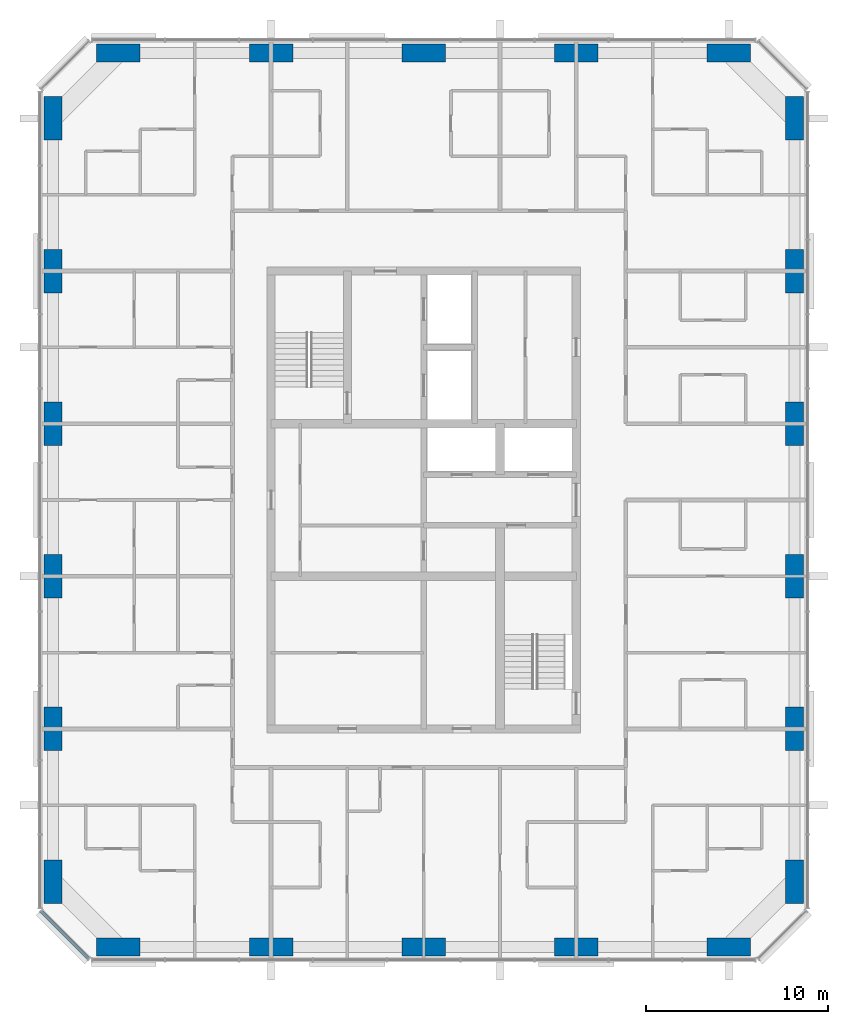
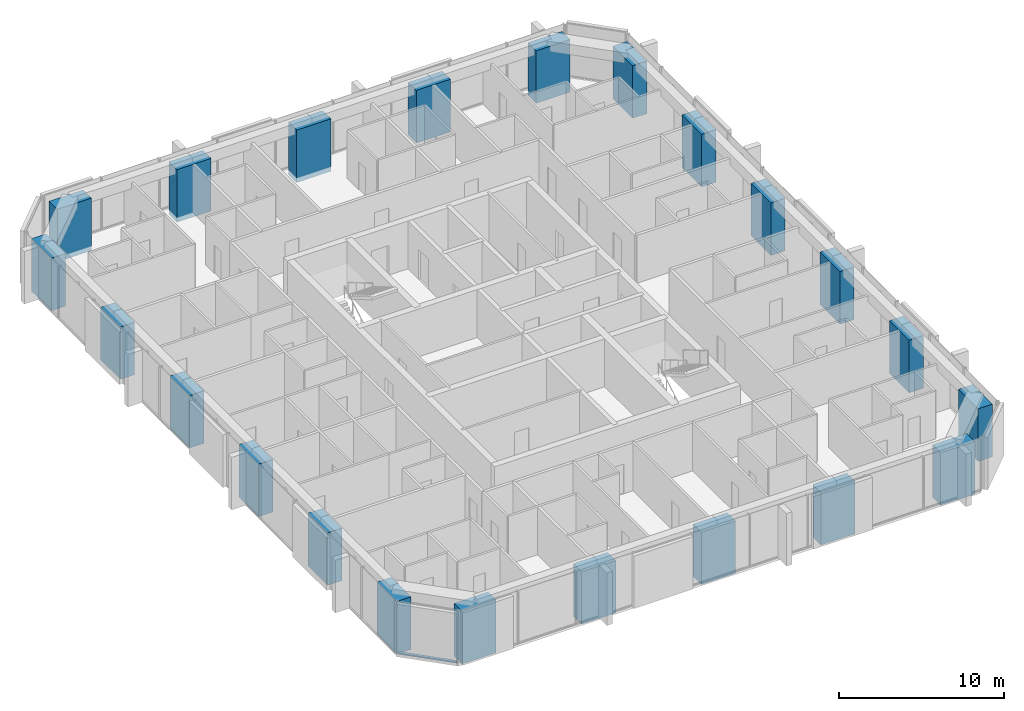
# One storey, part 1 of 12: 22 columns, 1 member, 1 element without a shape of its own.
"""IFC4 building model written with IfcOpenShell, lengths in metres."""

from ifc_helpers import new_model, si_unit, direction, frame, origin, origin_2d, place, context, subcontext, project, spatial, rectangle, extrude, material, material_profile, profile_set, type_object, element, aggregate, save


model = new_model("IFC4")

# Units and contexts
model_context = context("Model", 3, precision=1e-05, world=origin(), true_north=direction((0.0, 1.0)))
body_context = subcontext(model_context, "Body", "Model", "MODEL_VIEW")
ifc_project = project(units=[si_unit("LENGTHUNIT", "METRE"), si_unit("AREAUNIT", "SQUARE_METRE"), si_unit("VOLUMEUNIT", "CUBIC_METRE"), si_unit("PLANEANGLEUNIT", "RADIAN"), si_unit("MASSUNIT", "GRAM", prefix="KILO")], contexts=[model_context])

# Site, building, storey
site_placement = place(None, origin())
site = spatial("IfcSite", under=ifc_project, at=site_placement, CompositionType="ELEMENT")
building_placement = place(site_placement, origin())
building = spatial("IfcBuilding", under=site, at=building_placement, Name="Dunama Terrace Hotel", CompositionType="ELEMENT")
storey_placement = place(building_placement, frame((0.0, 0.0, 256.800048828125)))
storey = spatial("IfcBuildingStorey", under=building, at=storey_placement, Name="L66", CompositionType="ELEMENT", Elevation=256.800048828125)

# Columns
ifc_material_1 = material(Name="Concrete C50/60", Category="concrete")
ifc_material_profile_1 = material_profile(ifc_material_1, rectangle(XDim=1.0, YDim=2.39990234375, at=origin_2d()), Name="RC 1000x2400")
ifc_profile_set_1 = profile_set([ifc_material_profile_1], Name="Concrete C50/60")
column_type_1 = type_object("IfcColumnType", Name="Column RC 1000x2400", PredefinedType="COLUMN", material=ifc_profile_set_1)
for number, where, z_axis, x_axis, name in (
    (1, (13.199951171875, 8.39990234375, -0.35009765625), (0.0, 0.0, 1.0), (1.0, 0.0, 0.0), "Column L66 +13.2/+8.4"),
    (2, (13.199951171875, 16.800048828125, -0.35009765625), (0.0, 0.0, 1.0), (1.0, 0.0, 0.0), "Column L66 +13.2/+16.8"),
    (3, (13.199951171875, 25.199951171875, -0.35009765625), (0.0, 0.0, 1.0), (1.0, 0.0, 0.0), "Column L66 +13.2/+25.2"),
    (4, (13.199951171875, 33.60009765625, -0.35009765625), (0.0, 0.0, 1.0), (1.0, 0.0, 0.0), "Column L66 +13.2/+33.6"),
    (5, (13.199951171875, 42.0, -0.35009765625), (0.0, 0.0, 1.0), (1.0, 0.0, 0.0), "Column L66 +13.2/+42.0"),
    (6, (13.199951171875, 50.39990234375, -0.35009765625), (0.0, 0.0, 1.0), (1.0, 0.0, 0.0), "Column L66 +13.2/+50.4"),
    (7, (54.0, 8.39990234375, -0.35009765625), (0.0, 0.0, 1.0), (1.0, 0.0, 0.0), "Column L66 +54.0/+8.4"),
    (8, (54.0, 16.800048828125, -0.35009765625), (0.0, 0.0, 1.0), (1.0, 0.0, 0.0), "Column L66 +54.0/+16.8"),
    (9, (54.0, 25.199951171875, -0.35009765625), (0.0, 0.0, 1.0), (1.0, 0.0, 0.0), "Column L66 +54.0/+25.2"),
    (10, (54.0, 33.60009765625, -0.35009765625), (0.0, 0.0, 1.0), (1.0, 0.0, 0.0), "Column L66 +54.0/+33.6"),
    (11, (54.0, 42.0, -0.35009765625), (0.0, 0.0, 1.0), (1.0, 0.0, 0.0), "Column L66 +54.0/+42.0"),
    (12, (54.0, 50.39990234375, -0.35009765625), (0.0, 0.0, 1.0), (1.0, 0.0, 0.0), "Column L66 +54.0/+50.4"),
):
    element("IfcColumn", number, at=place(storey_placement, frame(where, z_axis=z_axis, x_axis=x_axis)), inside=storey, type_object=column_type_1, Name=name, PredefinedType="COLUMN", context=body_context, shape_type="SweptSolid", body=[
        extrude(rectangle(XDim=1.0, YDim=2.39990234375, at=origin_2d()), origin(), (0.0, 0.0, 1.0), 3.900146484375),
    ])
ifc_material_2 = material(Name="Concrete C50/60", Category="concrete")
ifc_material_profile_2 = material_profile(ifc_material_2, rectangle(XDim=2.39990234375, YDim=1.0, at=origin_2d()), Name="RC 2400x1000")
ifc_profile_set_2 = profile_set([ifc_material_profile_2], Name="Concrete C50/60")
column_type_2 = type_object("IfcColumnType", Name="Column RC 2400x1000", PredefinedType="COLUMN", material=ifc_profile_set_2)
for number, where, z_axis, x_axis, name in (
    (13, (16.800048828125, 4.800048828125, -0.35009765625), (0.0, 0.0, 1.0), (1.0, 0.0, 0.0), "Column L66 +16.8/+4.8"),
    (14, (16.800048828125, 54.0, -0.35009765625), (0.0, 0.0, 1.0), (1.0, 0.0, 0.0), "Column L66 +16.8/+54.0"),
    (15, (25.199951171875, 4.800048828125, -0.35009765625), (0.0, 0.0, 1.0), (1.0, 0.0, 0.0), "Column L66 +25.2/+4.8"),
    (16, (25.199951171875, 54.0, -0.35009765625), (0.0, 0.0, 1.0), (1.0, 0.0, 0.0), "Column L66 +25.2/+54.0"),
    (17, (33.60009765625, 4.800048828125, -0.35009765625), (0.0, 0.0, 1.0), (1.0, 0.0, 0.0), "Column L66 +33.6/+4.8"),
    (18, (33.60009765625, 54.0, -0.35009765625), (0.0, 0.0, 1.0), (1.0, 0.0, 0.0), "Column L66 +33.6/+54.0"),
    (19, (42.0, 4.800048828125, -0.35009765625), (0.0, 0.0, 1.0), (1.0, 0.0, 0.0), "Column L66 +42.0/+4.8"),
    (20, (42.0, 54.0, -0.35009765625), (0.0, 0.0, 1.0), (1.0, 0.0, 0.0), "Column L66 +42.0/+54.0"),
    (21, (50.39990234375, 4.800048828125, -0.35009765625), (0.0, 0.0, 1.0), (1.0, 0.0, 0.0), "Column L66 +50.4/+4.8"),
    (22, (50.39990234375, 54.0, -0.35009765625), (0.0, 0.0, 1.0), (1.0, 0.0, 0.0), "Column L66 +50.4/+54.0"),
):
    element("IfcColumn", number, at=place(storey_placement, frame(where, z_axis=z_axis, x_axis=x_axis)), inside=storey, type_object=column_type_2, Name=name, PredefinedType="COLUMN", context=body_context, shape_type="SweptSolid", body=[
        extrude(rectangle(XDim=2.39990234375, YDim=1.0, at=origin_2d()), origin(), (0.0, 0.0, 1.0), 3.900146484375),
    ])

# Curtain wall, member
ifc_material_3 = material(Name="Aluminium curtain wall system", Category="aluminium")
curtain_wall_type = type_object("IfcCurtainWallType", Name="Unitised fritted glass wall CW-D", PredefinedType="NOTDEFINED", material=ifc_material_3)
curtain_wall_placement = place(storey_placement, origin())
curtain_wall = element("IfcCurtainWall", 23, at=curtain_wall_placement, inside=storey, type_object=curtain_wall_type, Name="Unitised fritted glass wall CW-D L66", PredefinedType="NOTDEFINED")
ifc_material_4 = material(Name="Aluminium transom", Category="aluminium")
ifc_material_profile_3 = material_profile(ifc_material_4, rectangle(XDim=0.199951171875, YDim=0.0849609375, at=origin_2d()), Name="CWD TRANSOM 200X85")
ifc_profile_set_3 = profile_set([ifc_material_profile_3], Name="Aluminium transom")
member_type = type_object("IfcMemberType", Name="CWD transom 200x85", PredefinedType="USERDEFINED", material=ifc_profile_set_3)
member_placement = place(storey_placement, frame((12.56494140625, 6.76611328125, 0.04248046875), z_axis=(0.707106781187, -0.707106781187, 0.0), x_axis=(0.707106781187, 0.707106781187, 0.0)))
member = element("IfcMember", 24, at=member_placement, type_object=member_type, Name="CWD transom", ObjectType="TRANSOM", PredefinedType="USERDEFINED", context=body_context, shape_type="SweptSolid", body=[
    extrude(rectangle(XDim=0.199951171875, YDim=0.0849609375, at=origin_2d()), origin(), (0.0, 0.0, 1.0), 3.678466796875),
])
aggregate(curtain_wall, [member])

save(model, "model.ifc")
